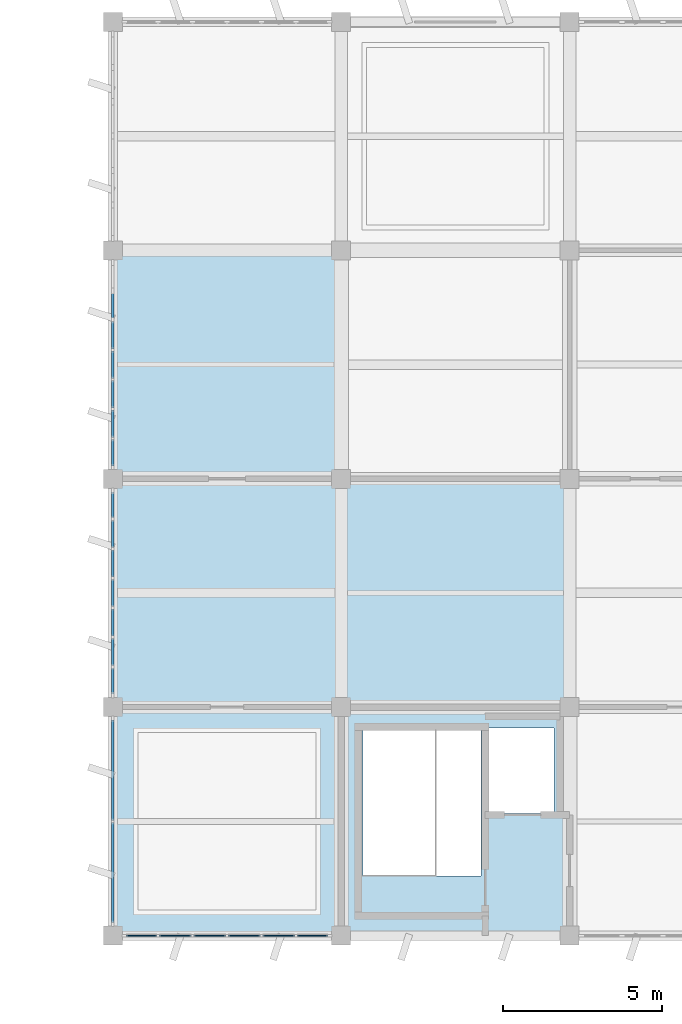
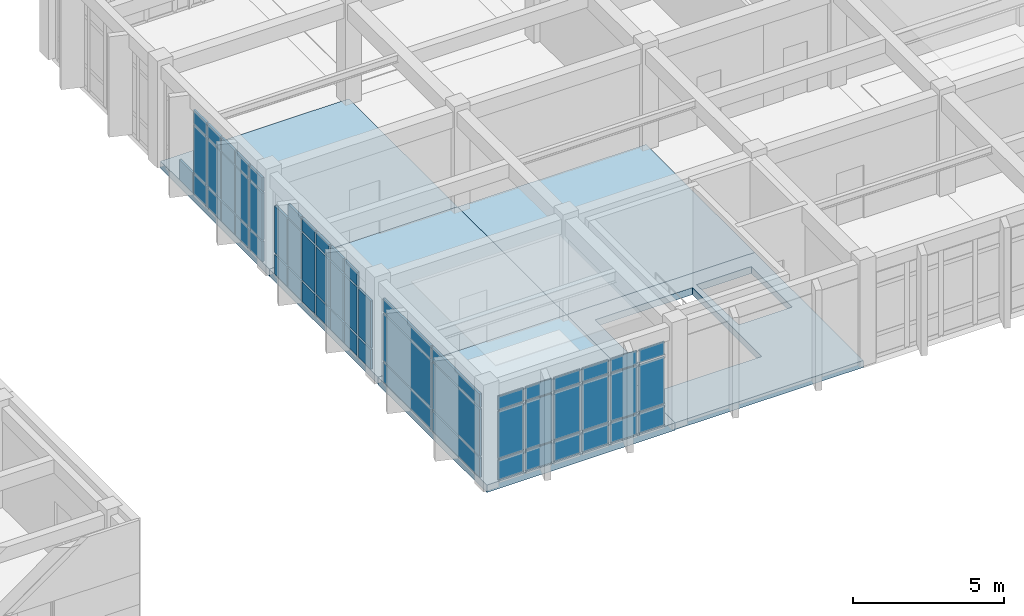
# One storey, part 35 of 70: 59 plates, 5 slabs, 4 elements without a shape of their own.
"""IFC4 building model written with IfcOpenShell, lengths in metres."""

from ifc_helpers import new_model, si_unit, direction, frame, origin, origin_2d, place, context, subcontext, project, spatial, polyline, rectangle, outline, extrude, material, layer, layer_set, type_object, element, aggregate, save


model = new_model("IFC4")

# Units and contexts
model_context = context("Model", 3, precision=1e-05, world=origin(), true_north=direction((0.0, 1.0)))
body_context = subcontext(model_context, "Body", "Model", "MODEL_VIEW")
ifc_project = project(units=[si_unit("LENGTHUNIT", "METRE"), si_unit("AREAUNIT", "SQUARE_METRE"), si_unit("VOLUMEUNIT", "CUBIC_METRE"), si_unit("PLANEANGLEUNIT", "RADIAN"), si_unit("MASSUNIT", "GRAM", prefix="KILO")], contexts=[model_context])

# Site, building, storey
site_placement = place(None, origin())
site = spatial("IfcSite", under=ifc_project, at=site_placement, CompositionType="ELEMENT")
building_placement = place(site_placement, origin())
building = spatial("IfcBuilding", under=site, at=building_placement, Name="Kavelor Marine Aquarium", CompositionType="ELEMENT")
storey_placement = place(building_placement, frame((0.0, 0.0, 9.179931640625)))
storey = spatial("IfcBuildingStorey", under=building, at=storey_placement, Name="L02", CompositionType="ELEMENT", Elevation=9.179931640625)

# Curtain wall, plates
ifc_material_1 = material(Name="Thermally Broken Aluminium and Low-E Glass", Category="aluminium")
ifc_layer_1 = layer(ifc_material_1, 0.172119140625)
ifc_layer_set_1 = layer_set([ifc_layer_1], Name="CW-SYS4")
curtain_wall_type_1 = type_object("IfcCurtainWallType", Name="CW-SYS4", PredefinedType="USERDEFINED", material=ifc_layer_set_1)
curtain_wall_1_placement = place(storey_placement, origin())
curtain_wall_1 = element("IfcCurtainWall", 1, at=curtain_wall_1_placement, inside=storey, type_object=curtain_wall_type_1, Name="cw:x:L02:16_00", ObjectType="Curtain Wall", PredefinedType="USERDEFINED")
ifc_material_2 = material(Name="Solar-Control Double Low-E Glazing", Category="glass")
ifc_layer_2 = layer(ifc_material_2, 0.031982421875)
ifc_layer_set_2 = layer_set([ifc_layer_2], Name="CWP-04")
plate_type_1 = type_object("IfcPlateType", Name="CWP-04", PredefinedType="CURTAIN_PANEL", material=ifc_layer_set_2)
plate_1_placement = place(storey_placement, frame((124.69384765625, 2.800048828125, 0.06005859375), z_axis=(0.0, 0.0, 1.0), x_axis=(-1.0, 0.0, 0.0)))
plate_1 = element("IfcPlate", 2, at=plate_1_placement, type_object=plate_type_1, Name="CW04 panel 1.1", PredefinedType="CURTAIN_PANEL", context=body_context, shape_type="SweptSolid", body=[
    extrude(rectangle(XDim=0.972412109375, YDim=0.031982421875, at=origin_2d()), origin(), (0.0, 0.0, 1.0), 0.81005859375),
])
plate_2_placement = place(storey_placement, frame((124.69384765625, 2.800048828125, 0.93017578125), z_axis=(0.0, 0.0, 1.0), x_axis=(-1.0, 0.0, 0.0)))
plate_2 = element("IfcPlate", 3, at=plate_2_placement, type_object=plate_type_1, Name="CW04 panel 1.2", PredefinedType="CURTAIN_PANEL", context=body_context, shape_type="SweptSolid", body=[
    extrude(rectangle(XDim=0.972412109375, YDim=0.031982421875, at=origin_2d()), origin(), (0.0, 0.0, 1.0), 1.909912109375),
])
plate_3_placement = place(storey_placement, frame((124.69384765625, 2.800048828125, 2.900146484375), z_axis=(0.0, 0.0, 1.0), x_axis=(-1.0, 0.0, 0.0)))
plate_3 = element("IfcPlate", 4, at=plate_3_placement, type_object=plate_type_1, Name="CW04 panel 1.3", PredefinedType="CURTAIN_PANEL", context=body_context, shape_type="SweptSolid", body=[
    extrude(rectangle(XDim=0.972412109375, YDim=0.031982421875, at=origin_2d()), origin(), (0.0, 0.0, 1.0), 0.56005859375),
])
plate_4_placement = place(storey_placement, frame((123.62744140625, 2.800048828125, 0.06005859375), z_axis=(0.0, 0.0, 1.0), x_axis=(-1.0, 0.0, 0.0)))
plate_4 = element("IfcPlate", 5, at=plate_4_placement, type_object=plate_type_1, Name="CW04 panel 2.1", PredefinedType="CURTAIN_PANEL", context=body_context, shape_type="SweptSolid", body=[
    extrude(rectangle(XDim=1.010009765625, YDim=0.031982421875, at=origin_2d()), origin(), (0.0, 0.0, 1.0), 0.81005859375),
])
plate_5_placement = place(storey_placement, frame((123.62744140625, 2.800048828125, 0.93017578125), z_axis=(0.0, 0.0, 1.0), x_axis=(-1.0, 0.0, 0.0)))
plate_5 = element("IfcPlate", 6, at=plate_5_placement, type_object=plate_type_1, Name="CW04 panel 2.2", PredefinedType="CURTAIN_PANEL", context=body_context, shape_type="SweptSolid", body=[
    extrude(rectangle(XDim=1.010009765625, YDim=0.031982421875, at=origin_2d()), origin(), (0.0, 0.0, 1.0), 1.909912109375),
])
plate_6_placement = place(storey_placement, frame((123.62744140625, 2.800048828125, 2.900146484375), z_axis=(0.0, 0.0, 1.0), x_axis=(-1.0, 0.0, 0.0)))
plate_6 = element("IfcPlate", 7, at=plate_6_placement, type_object=plate_type_1, Name="CW04 panel 2.3", PredefinedType="CURTAIN_PANEL", context=body_context, shape_type="SweptSolid", body=[
    extrude(rectangle(XDim=1.010009765625, YDim=0.031982421875, at=origin_2d()), origin(), (0.0, 0.0, 1.0), 0.56005859375),
])
plate_7_placement = place(storey_placement, frame((122.54248046875, 2.800048828125, 0.06005859375), z_axis=(0.0, 0.0, 1.0), x_axis=(-1.0, 0.0, 0.0)))
plate_7 = element("IfcPlate", 8, at=plate_7_placement, type_object=plate_type_1, Name="CW04 panel 3.1", PredefinedType="CURTAIN_PANEL", context=body_context, shape_type="SweptSolid", body=[
    extrude(rectangle(XDim=1.010009765625, YDim=0.031982421875, at=origin_2d()), origin(), (0.0, 0.0, 1.0), 0.81005859375),
])
plate_8_placement = place(storey_placement, frame((122.54248046875, 2.800048828125, 0.93017578125), z_axis=(0.0, 0.0, 1.0), x_axis=(-1.0, 0.0, 0.0)))
plate_8 = element("IfcPlate", 9, at=plate_8_placement, type_object=plate_type_1, Name="CW04 panel 3.2", PredefinedType="CURTAIN_PANEL", context=body_context, shape_type="SweptSolid", body=[
    extrude(rectangle(XDim=1.010009765625, YDim=0.031982421875, at=origin_2d()), origin(), (0.0, 0.0, 1.0), 1.909912109375),
])
plate_9_placement = place(storey_placement, frame((122.54248046875, 2.800048828125, 2.900146484375), z_axis=(0.0, 0.0, 1.0), x_axis=(-1.0, 0.0, 0.0)))
plate_9 = element("IfcPlate", 10, at=plate_9_placement, type_object=plate_type_1, Name="CW04 panel 3.3", PredefinedType="CURTAIN_PANEL", context=body_context, shape_type="SweptSolid", body=[
    extrude(rectangle(XDim=1.010009765625, YDim=0.031982421875, at=origin_2d()), origin(), (0.0, 0.0, 1.0), 0.56005859375),
])
plate_10_placement = place(storey_placement, frame((121.45751953125, 2.800048828125, 0.06005859375), z_axis=(0.0, 0.0, 1.0), x_axis=(-1.0, 0.0, 0.0)))
plate_10 = element("IfcPlate", 11, at=plate_10_placement, type_object=plate_type_1, Name="CW04 panel 4.1", PredefinedType="CURTAIN_PANEL", context=body_context, shape_type="SweptSolid", body=[
    extrude(rectangle(XDim=1.010009765625, YDim=0.031982421875, at=origin_2d()), origin(), (0.0, 0.0, 1.0), 0.81005859375),
])
plate_11_placement = place(storey_placement, frame((121.45751953125, 2.800048828125, 0.93017578125), z_axis=(0.0, 0.0, 1.0), x_axis=(-1.0, 0.0, 0.0)))
plate_11 = element("IfcPlate", 12, at=plate_11_placement, type_object=plate_type_1, Name="CW04 panel 4.2", PredefinedType="CURTAIN_PANEL", context=body_context, shape_type="SweptSolid", body=[
    extrude(rectangle(XDim=1.010009765625, YDim=0.031982421875, at=origin_2d()), origin(), (0.0, 0.0, 1.0), 1.909912109375),
])
plate_12_placement = place(storey_placement, frame((121.45751953125, 2.800048828125, 2.900146484375), z_axis=(0.0, 0.0, 1.0), x_axis=(-1.0, 0.0, 0.0)))
plate_12 = element("IfcPlate", 13, at=plate_12_placement, type_object=plate_type_1, Name="CW04 panel 4.3", PredefinedType="CURTAIN_PANEL", context=body_context, shape_type="SweptSolid", body=[
    extrude(rectangle(XDim=1.010009765625, YDim=0.031982421875, at=origin_2d()), origin(), (0.0, 0.0, 1.0), 0.56005859375),
])
plate_13_placement = place(storey_placement, frame((120.37255859375, 2.800048828125, 0.06005859375), z_axis=(0.0, 0.0, 1.0), x_axis=(-1.0, 0.0, 0.0)))
plate_13 = element("IfcPlate", 14, at=plate_13_placement, type_object=plate_type_1, Name="CW04 panel 5.1", PredefinedType="CURTAIN_PANEL", context=body_context, shape_type="SweptSolid", body=[
    extrude(rectangle(XDim=1.010009765625, YDim=0.031982421875, at=origin_2d()), origin(), (0.0, 0.0, 1.0), 0.81005859375),
])
plate_14_placement = place(storey_placement, frame((120.37255859375, 2.800048828125, 0.93017578125), z_axis=(0.0, 0.0, 1.0), x_axis=(-1.0, 0.0, 0.0)))
plate_14 = element("IfcPlate", 15, at=plate_14_placement, type_object=plate_type_1, Name="CW04 panel 5.2", PredefinedType="CURTAIN_PANEL", context=body_context, shape_type="SweptSolid", body=[
    extrude(rectangle(XDim=1.010009765625, YDim=0.031982421875, at=origin_2d()), origin(), (0.0, 0.0, 1.0), 1.909912109375),
])
plate_15_placement = place(storey_placement, frame((120.37255859375, 2.800048828125, 2.900146484375), z_axis=(0.0, 0.0, 1.0), x_axis=(-1.0, 0.0, 0.0)))
plate_15 = element("IfcPlate", 16, at=plate_15_placement, type_object=plate_type_1, Name="CW04 panel 5.3", PredefinedType="CURTAIN_PANEL", context=body_context, shape_type="SweptSolid", body=[
    extrude(rectangle(XDim=1.010009765625, YDim=0.031982421875, at=origin_2d()), origin(), (0.0, 0.0, 1.0), 0.56005859375),
])
plate_16_placement = place(storey_placement, frame((119.30615234375, 2.800048828125, 0.06005859375), z_axis=(0.0, 0.0, 1.0), x_axis=(-1.0, 0.0, 0.0)))
plate_16 = element("IfcPlate", 17, at=plate_16_placement, type_object=plate_type_1, Name="CW04 panel 6.1", PredefinedType="CURTAIN_PANEL", context=body_context, shape_type="SweptSolid", body=[
    extrude(rectangle(XDim=0.972412109375, YDim=0.031982421875, at=origin_2d()), origin(), (0.0, 0.0, 1.0), 0.81005859375),
])
plate_17_placement = place(storey_placement, frame((119.30615234375, 2.800048828125, 0.93017578125), z_axis=(0.0, 0.0, 1.0), x_axis=(-1.0, 0.0, 0.0)))
plate_17 = element("IfcPlate", 18, at=plate_17_placement, type_object=plate_type_1, Name="CW04 panel 6.2", PredefinedType="CURTAIN_PANEL", context=body_context, shape_type="SweptSolid", body=[
    extrude(rectangle(XDim=0.972412109375, YDim=0.031982421875, at=origin_2d()), origin(), (0.0, 0.0, 1.0), 1.909912109375),
])
plate_18_placement = place(storey_placement, frame((119.30615234375, 2.800048828125, 2.900146484375), z_axis=(0.0, 0.0, 1.0), x_axis=(-1.0, 0.0, 0.0)))
plate_18 = element("IfcPlate", 19, at=plate_18_placement, type_object=plate_type_1, Name="CW04 panel 6.3", PredefinedType="CURTAIN_PANEL", context=body_context, shape_type="SweptSolid", body=[
    extrude(rectangle(XDim=0.972412109375, YDim=0.031982421875, at=origin_2d()), origin(), (0.0, 0.0, 1.0), 0.56005859375),
])
aggregate(curtain_wall_1, [plate_1, plate_2, plate_3, plate_4, plate_5, plate_6, plate_7, plate_8, plate_9, plate_10, plate_11, plate_12, plate_13, plate_14, plate_15, plate_16, plate_17, plate_18])

ifc_material_3 = material(Name="Thermally Broken Aluminium and Low-E Glass", Category="aluminium")
ifc_layer_3 = layer(ifc_material_3, 0.33203125)
ifc_layer_set_3 = layer_set([ifc_layer_3], Name="CW-SYS24")
curtain_wall_type_2 = type_object("IfcCurtainWallType", Name="CW-SYS24", PredefinedType="USERDEFINED", material=ifc_layer_set_3)
curtain_wall_2_placement = place(storey_placement, origin())
curtain_wall_2 = element("IfcCurtainWall", 20, at=curtain_wall_2_placement, inside=storey, type_object=curtain_wall_type_2, Name="cw:y:L02:16_00", ObjectType="Curtain Wall", PredefinedType="USERDEFINED")
ifc_material_4 = material(Name="Solar-Control Double Low-E Glazing", Category="glass")
ifc_layer_4 = layer(ifc_material_4, 0.072021484375)
ifc_layer_set_4 = layer_set([ifc_layer_4], Name="CWP-24")
plate_type_2 = type_object("IfcPlateType", Name="CWP-24", PredefinedType="CURTAIN_PANEL", material=ifc_layer_set_4)
plate_19_placement = place(storey_placement, frame((118.39990234375, 8.012451171875, 0.074951171875), z_axis=(0.0, 0.0, 1.0), x_axis=(0.0, -1.0, 0.0)))
plate_19 = element("IfcPlate", 21, at=plate_19_placement, type_object=plate_type_2, Name="CW24 panel 1.1", PredefinedType="CURTAIN_PANEL", context=body_context, shape_type="SweptSolid", body=[
    extrude(rectangle(XDim=3.1650390625, YDim=0.072021484375, at=origin_2d()), origin(), (0.0, 0.0, 1.0), 0.78759765625),
])
plate_20_placement = place(storey_placement, frame((118.39990234375, 8.012451171875, 0.9375), z_axis=(0.0, 0.0, 1.0), x_axis=(0.0, -1.0, 0.0)))
plate_20 = element("IfcPlate", 22, at=plate_20_placement, type_object=plate_type_2, Name="CW24 panel 1.2", PredefinedType="CURTAIN_PANEL", context=body_context, shape_type="SweptSolid", body=[
    extrude(rectangle(XDim=3.1650390625, YDim=0.072021484375, at=origin_2d()), origin(), (0.0, 0.0, 1.0), 1.89501953125),
])
plate_21_placement = place(storey_placement, frame((118.39990234375, 8.012451171875, 2.907470703125), z_axis=(0.0, 0.0, 1.0), x_axis=(0.0, -1.0, 0.0)))
plate_21 = element("IfcPlate", 23, at=plate_21_placement, type_object=plate_type_2, Name="CW24 panel 1.3", PredefinedType="CURTAIN_PANEL", context=body_context, shape_type="SweptSolid", body=[
    extrude(rectangle(XDim=3.1650390625, YDim=0.072021484375, at=origin_2d()), origin(), (0.0, 0.0, 1.0), 0.53759765625),
])
plate_22_placement = place(storey_placement, frame((118.39990234375, 4.78759765625, 0.074951171875), z_axis=(0.0, 0.0, 1.0), x_axis=(0.0, -1.0, 0.0)))
plate_22 = element("IfcPlate", 24, at=plate_22_placement, type_object=plate_type_2, Name="CW24 panel 2.1", PredefinedType="CURTAIN_PANEL", context=body_context, shape_type="SweptSolid", body=[
    extrude(rectangle(XDim=3.1650390625, YDim=0.072021484375, at=origin_2d()), origin(), (0.0, 0.0, 1.0), 0.78759765625),
])
plate_23_placement = place(storey_placement, frame((118.39990234375, 4.78759765625, 0.9375), z_axis=(0.0, 0.0, 1.0), x_axis=(0.0, -1.0, 0.0)))
plate_23 = element("IfcPlate", 25, at=plate_23_placement, type_object=plate_type_2, Name="CW24 panel 2.2", PredefinedType="CURTAIN_PANEL", context=body_context, shape_type="SweptSolid", body=[
    extrude(rectangle(XDim=3.1650390625, YDim=0.072021484375, at=origin_2d()), origin(), (0.0, 0.0, 1.0), 1.89501953125),
])
plate_24_placement = place(storey_placement, frame((118.39990234375, 4.78759765625, 2.907470703125), z_axis=(0.0, 0.0, 1.0), x_axis=(0.0, -1.0, 0.0)))
plate_24 = element("IfcPlate", 26, at=plate_24_placement, type_object=plate_type_2, Name="CW24 panel 2.3", PredefinedType="CURTAIN_PANEL", context=body_context, shape_type="SweptSolid", body=[
    extrude(rectangle(XDim=3.1650390625, YDim=0.072021484375, at=origin_2d()), origin(), (0.0, 0.0, 1.0), 0.53759765625),
])
aggregate(curtain_wall_2, [plate_19, plate_20, plate_21, plate_22, plate_23, plate_24])

ifc_material_5 = material(Name="Thermally Broken Aluminium and Low-E Glass", Category="aluminium")
ifc_layer_5 = layer(ifc_material_5, 0.14794921875)
ifc_layer_set_5 = layer_set([ifc_layer_5], Name="CW-SYS1")
curtain_wall_type_3 = type_object("IfcCurtainWallType", Name="CW-SYS1", PredefinedType="USERDEFINED", material=ifc_layer_set_5)
curtain_wall_3_placement = place(storey_placement, origin())
curtain_wall_3 = element("IfcCurtainWall", 27, at=curtain_wall_3_placement, inside=storey, type_object=curtain_wall_type_3, Name="cw:y:L02:16_01", ObjectType="Curtain Wall", PredefinedType="USERDEFINED")
ifc_material_6 = material(Name="Solar-Control Double Low-E Glazing", Category="glass")
ifc_layer_6 = layer(ifc_material_6, 0.073974609375)
ifc_layer_set_6 = layer_set([ifc_layer_6], Name="CWP-25")
plate_type_3 = type_object("IfcPlateType", Name="CWP-25", PredefinedType="CURTAIN_PANEL", material=ifc_layer_set_6)
plate_25_placement = place(storey_placement, frame((118.39990234375, 16.371337890625, 0.074951171875), z_axis=(0.0, 0.0, 1.0), x_axis=(0.0, -1.0, 0.0)))
plate_25 = element("IfcPlate", 28, at=plate_25_placement, type_object=plate_type_3, Name="CW01 panel 1.1", PredefinedType="CURTAIN_PANEL", context=body_context, shape_type="SweptSolid", body=[
    extrude(rectangle(XDim=0.8173828125, YDim=0.073974609375, at=origin_2d()), origin(), (0.0, 0.0, 1.0), 0.78759765625),
])
plate_26_placement = place(storey_placement, frame((118.39990234375, 16.371337890625, 0.9375), z_axis=(0.0, 0.0, 1.0), x_axis=(0.0, -1.0, 0.0)))
plate_26 = element("IfcPlate", 29, at=plate_26_placement, type_object=plate_type_3, Name="CW01 panel 1.2", PredefinedType="CURTAIN_PANEL", context=body_context, shape_type="SweptSolid", body=[
    extrude(rectangle(XDim=0.8173828125, YDim=0.073974609375, at=origin_2d()), origin(), (0.0, 0.0, 1.0), 1.89501953125),
])
plate_27_placement = place(storey_placement, frame((118.39990234375, 15.4599609375, 0.074951171875), z_axis=(0.0, 0.0, 1.0), x_axis=(0.0, -1.0, 0.0)))
plate_27 = element("IfcPlate", 30, at=plate_27_placement, type_object=plate_type_3, Name="CW01 panel 2.1", PredefinedType="CURTAIN_PANEL", context=body_context, shape_type="SweptSolid", body=[
    extrude(rectangle(XDim=0.85498046875, YDim=0.073974609375, at=origin_2d()), origin(), (0.0, 0.0, 1.0), 0.78759765625),
])
plate_28_placement = place(storey_placement, frame((118.39990234375, 15.4599609375, 0.9375), z_axis=(0.0, 0.0, 1.0), x_axis=(0.0, -1.0, 0.0)))
plate_28 = element("IfcPlate", 31, at=plate_28_placement, type_object=plate_type_3, Name="CW01 panel 2.2", PredefinedType="CURTAIN_PANEL", context=body_context, shape_type="SweptSolid", body=[
    extrude(rectangle(XDim=0.85498046875, YDim=0.073974609375, at=origin_2d()), origin(), (0.0, 0.0, 1.0), 1.89501953125),
])
plate_29_placement = place(storey_placement, frame((118.39990234375, 15.4599609375, 2.907470703125), z_axis=(0.0, 0.0, 1.0), x_axis=(0.0, -1.0, 0.0)))
plate_29 = element("IfcPlate", 32, at=plate_29_placement, type_object=plate_type_3, Name="CW01 panel 2.3", PredefinedType="CURTAIN_PANEL", context=body_context, shape_type="SweptSolid", body=[
    extrude(rectangle(XDim=0.85498046875, YDim=0.073974609375, at=origin_2d()), origin(), (0.0, 0.0, 1.0), 0.53759765625),
])
plate_30_placement = place(storey_placement, frame((118.39990234375, 14.530029296875, 0.074951171875), z_axis=(0.0, 0.0, 1.0), x_axis=(0.0, -1.0, 0.0)))
plate_30 = element("IfcPlate", 33, at=plate_30_placement, type_object=plate_type_3, Name="CW01 panel 3.1", PredefinedType="CURTAIN_PANEL", context=body_context, shape_type="SweptSolid", body=[
    extrude(rectangle(XDim=0.85498046875, YDim=0.073974609375, at=origin_2d()), origin(), (0.0, 0.0, 1.0), 0.78759765625),
])
plate_31_placement = place(storey_placement, frame((118.39990234375, 14.530029296875, 0.9375), z_axis=(0.0, 0.0, 1.0), x_axis=(0.0, -1.0, 0.0)))
plate_31 = element("IfcPlate", 34, at=plate_31_placement, type_object=plate_type_3, Name="CW01 panel 3.2", PredefinedType="CURTAIN_PANEL", context=body_context, shape_type="SweptSolid", body=[
    extrude(rectangle(XDim=0.85498046875, YDim=0.073974609375, at=origin_2d()), origin(), (0.0, 0.0, 1.0), 1.89501953125),
])
plate_32_placement = place(storey_placement, frame((118.39990234375, 14.530029296875, 2.907470703125), z_axis=(0.0, 0.0, 1.0), x_axis=(0.0, -1.0, 0.0)))
plate_32 = element("IfcPlate", 35, at=plate_32_placement, type_object=plate_type_3, Name="CW01 panel 3.3", PredefinedType="CURTAIN_PANEL", context=body_context, shape_type="SweptSolid", body=[
    extrude(rectangle(XDim=0.85498046875, YDim=0.073974609375, at=origin_2d()), origin(), (0.0, 0.0, 1.0), 0.53759765625),
])
plate_33_placement = place(storey_placement, frame((118.39990234375, 13.60009765625, 0.074951171875), z_axis=(0.0, 0.0, 1.0), x_axis=(0.0, -1.0, 0.0)))
plate_33 = element("IfcPlate", 36, at=plate_33_placement, type_object=plate_type_3, Name="CW01 panel 4.1", PredefinedType="CURTAIN_PANEL", context=body_context, shape_type="SweptSolid", body=[
    extrude(rectangle(XDim=0.85498046875, YDim=0.073974609375, at=origin_2d()), origin(), (0.0, 0.0, 1.0), 0.78759765625),
])
plate_34_placement = place(storey_placement, frame((118.39990234375, 13.60009765625, 0.9375), z_axis=(0.0, 0.0, 1.0), x_axis=(0.0, -1.0, 0.0)))
plate_34 = element("IfcPlate", 37, at=plate_34_placement, type_object=plate_type_3, Name="CW01 panel 4.2", PredefinedType="CURTAIN_PANEL", context=body_context, shape_type="SweptSolid", body=[
    extrude(rectangle(XDim=0.85498046875, YDim=0.073974609375, at=origin_2d()), origin(), (0.0, 0.0, 1.0), 1.89501953125),
])
plate_35_placement = place(storey_placement, frame((118.39990234375, 13.60009765625, 2.907470703125), z_axis=(0.0, 0.0, 1.0), x_axis=(0.0, -1.0, 0.0)))
plate_35 = element("IfcPlate", 38, at=plate_35_placement, type_object=plate_type_3, Name="CW01 panel 4.3", PredefinedType="CURTAIN_PANEL", context=body_context, shape_type="SweptSolid", body=[
    extrude(rectangle(XDim=0.85498046875, YDim=0.073974609375, at=origin_2d()), origin(), (0.0, 0.0, 1.0), 0.53759765625),
])
plate_36_placement = place(storey_placement, frame((118.39990234375, 12.669921875, 0.074951171875), z_axis=(0.0, 0.0, 1.0), x_axis=(0.0, -1.0, 0.0)))
plate_36 = element("IfcPlate", 39, at=plate_36_placement, type_object=plate_type_3, Name="CW01 panel 5.1", PredefinedType="CURTAIN_PANEL", context=body_context, shape_type="SweptSolid", body=[
    extrude(rectangle(XDim=0.85498046875, YDim=0.073974609375, at=origin_2d()), origin(), (0.0, 0.0, 1.0), 0.78759765625),
])
plate_37_placement = place(storey_placement, frame((118.39990234375, 12.669921875, 0.9375), z_axis=(0.0, 0.0, 1.0), x_axis=(0.0, -1.0, 0.0)))
plate_37 = element("IfcPlate", 40, at=plate_37_placement, type_object=plate_type_3, Name="CW01 panel 5.2", PredefinedType="CURTAIN_PANEL", context=body_context, shape_type="SweptSolid", body=[
    extrude(rectangle(XDim=0.85498046875, YDim=0.073974609375, at=origin_2d()), origin(), (0.0, 0.0, 1.0), 1.89501953125),
])
plate_38_placement = place(storey_placement, frame((118.39990234375, 12.669921875, 2.907470703125), z_axis=(0.0, 0.0, 1.0), x_axis=(0.0, -1.0, 0.0)))
plate_38 = element("IfcPlate", 41, at=plate_38_placement, type_object=plate_type_3, Name="CW01 panel 5.3", PredefinedType="CURTAIN_PANEL", context=body_context, shape_type="SweptSolid", body=[
    extrude(rectangle(XDim=0.85498046875, YDim=0.073974609375, at=origin_2d()), origin(), (0.0, 0.0, 1.0), 0.53759765625),
])
plate_39_placement = place(storey_placement, frame((118.39990234375, 11.739990234375, 0.074951171875), z_axis=(0.0, 0.0, 1.0), x_axis=(0.0, -1.0, 0.0)))
plate_39 = element("IfcPlate", 42, at=plate_39_placement, type_object=plate_type_3, Name="CW01 panel 6.1", PredefinedType="CURTAIN_PANEL", context=body_context, shape_type="SweptSolid", body=[
    extrude(rectangle(XDim=0.85498046875, YDim=0.073974609375, at=origin_2d()), origin(), (0.0, 0.0, 1.0), 0.78759765625),
])
plate_40_placement = place(storey_placement, frame((118.39990234375, 11.739990234375, 0.9375), z_axis=(0.0, 0.0, 1.0), x_axis=(0.0, -1.0, 0.0)))
plate_40 = element("IfcPlate", 43, at=plate_40_placement, type_object=plate_type_3, Name="CW01 panel 6.2", PredefinedType="CURTAIN_PANEL", context=body_context, shape_type="SweptSolid", body=[
    extrude(rectangle(XDim=0.85498046875, YDim=0.073974609375, at=origin_2d()), origin(), (0.0, 0.0, 1.0), 1.89501953125),
])
plate_41_placement = place(storey_placement, frame((118.39990234375, 11.739990234375, 2.907470703125), z_axis=(0.0, 0.0, 1.0), x_axis=(0.0, -1.0, 0.0)))
plate_41 = element("IfcPlate", 44, at=plate_41_placement, type_object=plate_type_3, Name="CW01 panel 6.3", PredefinedType="CURTAIN_PANEL", context=body_context, shape_type="SweptSolid", body=[
    extrude(rectangle(XDim=0.85498046875, YDim=0.073974609375, at=origin_2d()), origin(), (0.0, 0.0, 1.0), 0.53759765625),
])
plate_42_placement = place(storey_placement, frame((118.39990234375, 10.828857421875, 0.074951171875), z_axis=(0.0, 0.0, 1.0), x_axis=(0.0, -1.0, 0.0)))
plate_42 = element("IfcPlate", 45, at=plate_42_placement, type_object=plate_type_3, Name="CW01 panel 7.1", PredefinedType="CURTAIN_PANEL", context=body_context, shape_type="SweptSolid", body=[
    extrude(rectangle(XDim=0.8173828125, YDim=0.073974609375, at=origin_2d()), origin(), (0.0, 0.0, 1.0), 0.78759765625),
])
plate_43_placement = place(storey_placement, frame((118.39990234375, 10.828857421875, 0.9375), z_axis=(0.0, 0.0, 1.0), x_axis=(0.0, -1.0, 0.0)))
plate_43 = element("IfcPlate", 46, at=plate_43_placement, type_object=plate_type_3, Name="CW01 panel 7.2", PredefinedType="CURTAIN_PANEL", context=body_context, shape_type="SweptSolid", body=[
    extrude(rectangle(XDim=0.8173828125, YDim=0.073974609375, at=origin_2d()), origin(), (0.0, 0.0, 1.0), 1.89501953125),
])
aggregate(curtain_wall_3, [plate_25, plate_26, plate_27, plate_28, plate_29, plate_30, plate_31, plate_32, plate_33, plate_34, plate_35, plate_36, plate_37, plate_38, plate_39, plate_40, plate_41, plate_42, plate_43])

ifc_material_7 = material(Name="Thermally Broken Aluminium and Low-E Glass", Category="aluminium")
ifc_layer_7 = layer(ifc_material_7, 0.156005859375)
ifc_layer_set_7 = layer_set([ifc_layer_7], Name="CW-SYS2")
curtain_wall_type_4 = type_object("IfcCurtainWallType", Name="CW-SYS2", PredefinedType="USERDEFINED", material=ifc_layer_set_7)
curtain_wall_4_placement = place(storey_placement, origin())
curtain_wall_4 = element("IfcCurtainWall", 47, at=curtain_wall_4_placement, inside=storey, type_object=curtain_wall_type_4, Name="cw:y:L02:16_02", ObjectType="Curtain Wall", PredefinedType="USERDEFINED")
ifc_material_8 = material(Name="Solar-Control Double Low-E Glazing", Category="glass")
ifc_layer_8 = layer(ifc_material_8, 0.075927734375)
ifc_layer_set_8 = layer_set([ifc_layer_8], Name="CWP-26")
plate_type_4 = type_object("IfcPlateType", Name="CWP-26", PredefinedType="CURTAIN_PANEL", material=ifc_layer_set_8)
plate_44_placement = place(storey_placement, frame((118.39990234375, 22.659912109375, 0.06494140625), z_axis=(0.0, 0.0, 1.0), x_axis=(0.0, -1.0, 0.0)))
plate_44 = element("IfcPlate", 48, at=plate_44_placement, type_object=plate_type_4, Name="CW02 panel 2.1", PredefinedType="CURTAIN_PANEL", context=body_context, shape_type="SweptSolid", body=[
    extrude(rectangle(XDim=0.864990234375, YDim=0.075927734375, at=origin_2d()), origin(), (0.0, 0.0, 1.0), 0.802490234375),
])
plate_45_placement = place(storey_placement, frame((118.39990234375, 21.72998046875, 0.06494140625), z_axis=(0.0, 0.0, 1.0), x_axis=(0.0, -1.0, 0.0)))
plate_45 = element("IfcPlate", 49, at=plate_45_placement, type_object=plate_type_4, Name="CW02 panel 3.1", PredefinedType="CURTAIN_PANEL", context=body_context, shape_type="SweptSolid", body=[
    extrude(rectangle(XDim=0.864990234375, YDim=0.075927734375, at=origin_2d()), origin(), (0.0, 0.0, 1.0), 0.802490234375),
])
plate_46_placement = place(storey_placement, frame((118.39990234375, 21.72998046875, 0.9326171875), z_axis=(0.0, 0.0, 1.0), x_axis=(0.0, -1.0, 0.0)))
plate_46 = element("IfcPlate", 50, at=plate_46_placement, type_object=plate_type_4, Name="CW02 panel 3.2", PredefinedType="CURTAIN_PANEL", context=body_context, shape_type="SweptSolid", body=[
    extrude(rectangle(XDim=0.864990234375, YDim=0.075927734375, at=origin_2d()), origin(), (0.0, 0.0, 1.0), 1.905029296875),
])
plate_47_placement = place(storey_placement, frame((118.39990234375, 21.72998046875, 2.90234375), z_axis=(0.0, 0.0, 1.0), x_axis=(0.0, -1.0, 0.0)))
plate_47 = element("IfcPlate", 51, at=plate_47_placement, type_object=plate_type_4, Name="CW02 panel 3.3", PredefinedType="CURTAIN_PANEL", context=body_context, shape_type="SweptSolid", body=[
    extrude(rectangle(XDim=0.864990234375, YDim=0.075927734375, at=origin_2d()), origin(), (0.0, 0.0, 1.0), 0.552490234375),
])
plate_48_placement = place(storey_placement, frame((118.39990234375, 20.800048828125, 0.06494140625), z_axis=(0.0, 0.0, 1.0), x_axis=(0.0, -1.0, 0.0)))
plate_48 = element("IfcPlate", 52, at=plate_48_placement, type_object=plate_type_4, Name="CW02 panel 4.1", PredefinedType="CURTAIN_PANEL", context=body_context, shape_type="SweptSolid", body=[
    extrude(rectangle(XDim=0.864990234375, YDim=0.075927734375, at=origin_2d()), origin(), (0.0, 0.0, 1.0), 0.802490234375),
])
plate_49_placement = place(storey_placement, frame((118.39990234375, 20.800048828125, 0.9326171875), z_axis=(0.0, 0.0, 1.0), x_axis=(0.0, -1.0, 0.0)))
plate_49 = element("IfcPlate", 53, at=plate_49_placement, type_object=plate_type_4, Name="CW02 panel 4.2", PredefinedType="CURTAIN_PANEL", context=body_context, shape_type="SweptSolid", body=[
    extrude(rectangle(XDim=0.864990234375, YDim=0.075927734375, at=origin_2d()), origin(), (0.0, 0.0, 1.0), 1.905029296875),
])
plate_50_placement = place(storey_placement, frame((118.39990234375, 20.800048828125, 2.90234375), z_axis=(0.0, 0.0, 1.0), x_axis=(0.0, -1.0, 0.0)))
plate_50 = element("IfcPlate", 54, at=plate_50_placement, type_object=plate_type_4, Name="CW02 panel 4.3", PredefinedType="CURTAIN_PANEL", context=body_context, shape_type="SweptSolid", body=[
    extrude(rectangle(XDim=0.864990234375, YDim=0.075927734375, at=origin_2d()), origin(), (0.0, 0.0, 1.0), 0.552490234375),
])
plate_51_placement = place(storey_placement, frame((118.39990234375, 19.8701171875, 0.06494140625), z_axis=(0.0, 0.0, 1.0), x_axis=(0.0, -1.0, 0.0)))
plate_51 = element("IfcPlate", 55, at=plate_51_placement, type_object=plate_type_4, Name="CW02 panel 5.1", PredefinedType="CURTAIN_PANEL", context=body_context, shape_type="SweptSolid", body=[
    extrude(rectangle(XDim=0.864990234375, YDim=0.075927734375, at=origin_2d()), origin(), (0.0, 0.0, 1.0), 0.802490234375),
])
plate_52_placement = place(storey_placement, frame((118.39990234375, 19.8701171875, 0.9326171875), z_axis=(0.0, 0.0, 1.0), x_axis=(0.0, -1.0, 0.0)))
plate_52 = element("IfcPlate", 56, at=plate_52_placement, type_object=plate_type_4, Name="CW02 panel 5.2", PredefinedType="CURTAIN_PANEL", context=body_context, shape_type="SweptSolid", body=[
    extrude(rectangle(XDim=0.864990234375, YDim=0.075927734375, at=origin_2d()), origin(), (0.0, 0.0, 1.0), 1.905029296875),
])
plate_53_placement = place(storey_placement, frame((118.39990234375, 19.8701171875, 2.90234375), z_axis=(0.0, 0.0, 1.0), x_axis=(0.0, -1.0, 0.0)))
plate_53 = element("IfcPlate", 57, at=plate_53_placement, type_object=plate_type_4, Name="CW02 panel 5.3", PredefinedType="CURTAIN_PANEL", context=body_context, shape_type="SweptSolid", body=[
    extrude(rectangle(XDim=0.864990234375, YDim=0.075927734375, at=origin_2d()), origin(), (0.0, 0.0, 1.0), 0.552490234375),
])
plate_54_placement = place(storey_placement, frame((118.39990234375, 18.93994140625, 0.06494140625), z_axis=(0.0, 0.0, 1.0), x_axis=(0.0, -1.0, 0.0)))
plate_54 = element("IfcPlate", 58, at=plate_54_placement, type_object=plate_type_4, Name="CW02 panel 6.1", PredefinedType="CURTAIN_PANEL", context=body_context, shape_type="SweptSolid", body=[
    extrude(rectangle(XDim=0.864990234375, YDim=0.075927734375, at=origin_2d()), origin(), (0.0, 0.0, 1.0), 0.802490234375),
])
plate_55_placement = place(storey_placement, frame((118.39990234375, 18.93994140625, 0.9326171875), z_axis=(0.0, 0.0, 1.0), x_axis=(0.0, -1.0, 0.0)))
plate_55 = element("IfcPlate", 59, at=plate_55_placement, type_object=plate_type_4, Name="CW02 panel 6.2", PredefinedType="CURTAIN_PANEL", context=body_context, shape_type="SweptSolid", body=[
    extrude(rectangle(XDim=0.864990234375, YDim=0.075927734375, at=origin_2d()), origin(), (0.0, 0.0, 1.0), 1.905029296875),
])
plate_56_placement = place(storey_placement, frame((118.39990234375, 18.93994140625, 2.90234375), z_axis=(0.0, 0.0, 1.0), x_axis=(0.0, -1.0, 0.0)))
plate_56 = element("IfcPlate", 60, at=plate_56_placement, type_object=plate_type_4, Name="CW02 panel 6.3", PredefinedType="CURTAIN_PANEL", context=body_context, shape_type="SweptSolid", body=[
    extrude(rectangle(XDim=0.864990234375, YDim=0.075927734375, at=origin_2d()), origin(), (0.0, 0.0, 1.0), 0.552490234375),
])
plate_57_placement = place(storey_placement, frame((118.39990234375, 18.0263671875, 0.06494140625), z_axis=(0.0, 0.0, 1.0), x_axis=(0.0, -1.0, 0.0)))
plate_57 = element("IfcPlate", 61, at=plate_57_placement, type_object=plate_type_4, Name="CW02 panel 7.1", PredefinedType="CURTAIN_PANEL", context=body_context, shape_type="SweptSolid", body=[
    extrude(rectangle(XDim=0.83251953125, YDim=0.075927734375, at=origin_2d()), origin(), (0.0, 0.0, 1.0), 0.802490234375),
])
plate_58_placement = place(storey_placement, frame((118.39990234375, 18.0263671875, 0.9326171875), z_axis=(0.0, 0.0, 1.0), x_axis=(0.0, -1.0, 0.0)))
plate_58 = element("IfcPlate", 62, at=plate_58_placement, type_object=plate_type_4, Name="CW02 panel 7.2", PredefinedType="CURTAIN_PANEL", context=body_context, shape_type="SweptSolid", body=[
    extrude(rectangle(XDim=0.83251953125, YDim=0.075927734375, at=origin_2d()), origin(), (0.0, 0.0, 1.0), 1.905029296875),
])
plate_59_placement = place(storey_placement, frame((118.39990234375, 18.0263671875, 2.90234375), z_axis=(0.0, 0.0, 1.0), x_axis=(0.0, -1.0, 0.0)))
plate_59 = element("IfcPlate", 63, at=plate_59_placement, type_object=plate_type_4, Name="CW02 panel 7.3", PredefinedType="CURTAIN_PANEL", context=body_context, shape_type="SweptSolid", body=[
    extrude(rectangle(XDim=0.83251953125, YDim=0.075927734375, at=origin_2d()), origin(), (0.0, 0.0, 1.0), 0.552490234375),
])
aggregate(curtain_wall_4, [plate_44, plate_45, plate_46, plate_47, plate_48, plate_49, plate_50, plate_51, plate_52, plate_53, plate_54, plate_55, plate_56, plate_57, plate_58, plate_59])

# Slabs
ifc_material_9 = material(Name="Concrete C40/50", Category="concrete")
ifc_layer_9 = layer(ifc_material_9, 0.300048828125)
ifc_layer_set_9 = layer_set([ifc_layer_9], Name="SL-FL1")
slab_type_1 = type_object("IfcSlabType", Name="SL-FL1", PredefinedType="FLOOR", material=ifc_layer_set_9)
slab_1_placement = place(storey_placement, frame((0.0, 0.0, -0.300048828125)))
element("IfcSlab", 64, at=slab_1_placement, inside=storey, type_object=slab_type_1, Name="slab:L02:16_00", PredefinedType="FLOOR", context=body_context, shape_type="SweptSolid", body=[
    extrude(outline(polyline([(118.39990234375, 2.800048828125), (125.60009765625, 2.800048828125), (125.60009765625, 10.0), (118.39990234375, 10.0), (118.39990234375, 2.800048828125)])), origin(), (0.0, 0.0, 1.0), 0.300048828125),
])
slab_2_placement = place(storey_placement, frame((0.0, 0.0, -0.300048828125)))
element("IfcSlab", 65, at=slab_2_placement, inside=storey, type_object=slab_type_1, Name="slab:L02:16_02", PredefinedType="FLOOR", context=body_context, shape_type="SweptSolid", body=[
    extrude(outline(polyline([(118.39990234375, 17.199951171875), (125.60009765625, 17.199951171875), (125.60009765625, 24.39990234375), (118.39990234375, 24.39990234375), (118.39990234375, 17.199951171875)])), origin(), (0.0, 0.0, 1.0), 0.300048828125),
])
slab_3_placement = place(storey_placement, frame((0.0, 0.0, -0.300048828125)))
element("IfcSlab", 66, at=slab_3_placement, inside=storey, type_object=slab_type_1, Name="slab:L02:17_01", PredefinedType="FLOOR", context=body_context, shape_type="SweptSolid", body=[
    extrude(outline(polyline([(125.60009765625, 10.0), (132.800048828125, 10.0), (132.800048828125, 17.199951171875), (125.60009765625, 17.199951171875), (125.60009765625, 10.0)])), origin(), (0.0, 0.0, 1.0), 0.300048828125),
])
ifc_material_10 = material(Name="Concrete C40/50", Category="concrete")
ifc_layer_10 = layer(ifc_material_10, 0.280029296875)
ifc_layer_set_10 = layer_set([ifc_layer_10], Name="SL-FL2")
slab_type_2 = type_object("IfcSlabType", Name="SL-FL2", PredefinedType="FLOOR", material=ifc_layer_set_10)
slab_4_placement = place(storey_placement, frame((0.0, 0.0, -0.280029296875)))
element("IfcSlab", 67, at=slab_4_placement, inside=storey, type_object=slab_type_2, Name="slab:L02:16_01", PredefinedType="FLOOR", context=body_context, shape_type="SweptSolid", body=[
    extrude(outline(polyline([(118.39990234375, 10.0), (125.60009765625, 10.0), (125.60009765625, 17.199951171875), (118.39990234375, 17.199951171875), (118.39990234375, 10.0)])), origin(), (0.0, 0.0, 1.0), 0.280029296875),
])
slab_5_placement = place(storey_placement, frame((0.0, 0.0, -0.280029296875)))
element("IfcSlab", 68, at=slab_5_placement, inside=storey, type_object=slab_type_2, Name="slab:L02:17_00", PredefinedType="FLOOR", context=body_context, shape_type="SweptSolid", body=[
    extrude(outline(polyline([(125.60009765625, 2.800048828125), (132.800048828125, 2.800048828125), (132.800048828125, 10.0), (125.60009765625, 10.0), (125.60009765625, 2.800048828125)]), holes=[polyline([(126.280029296875, 4.68310546875), (130.0, 4.68310546875), (130.0, 9.27001953125), (126.280029296875, 9.27001953125), (126.280029296875, 4.68310546875)]), polyline([(130.260009765625, 6.64990234375), (132.300048828125, 6.64990234375), (132.300048828125, 9.35009765625), (130.199951171875, 9.35009765625), (130.260009765625, 6.64990234375)])]), origin(), (0.0, 0.0, 1.0), 0.280029296875),
])

save(model, "model.ifc")
